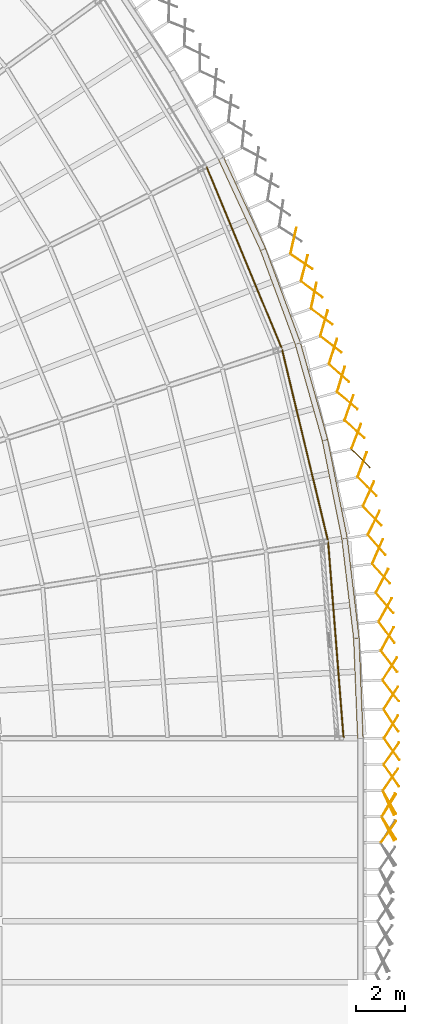
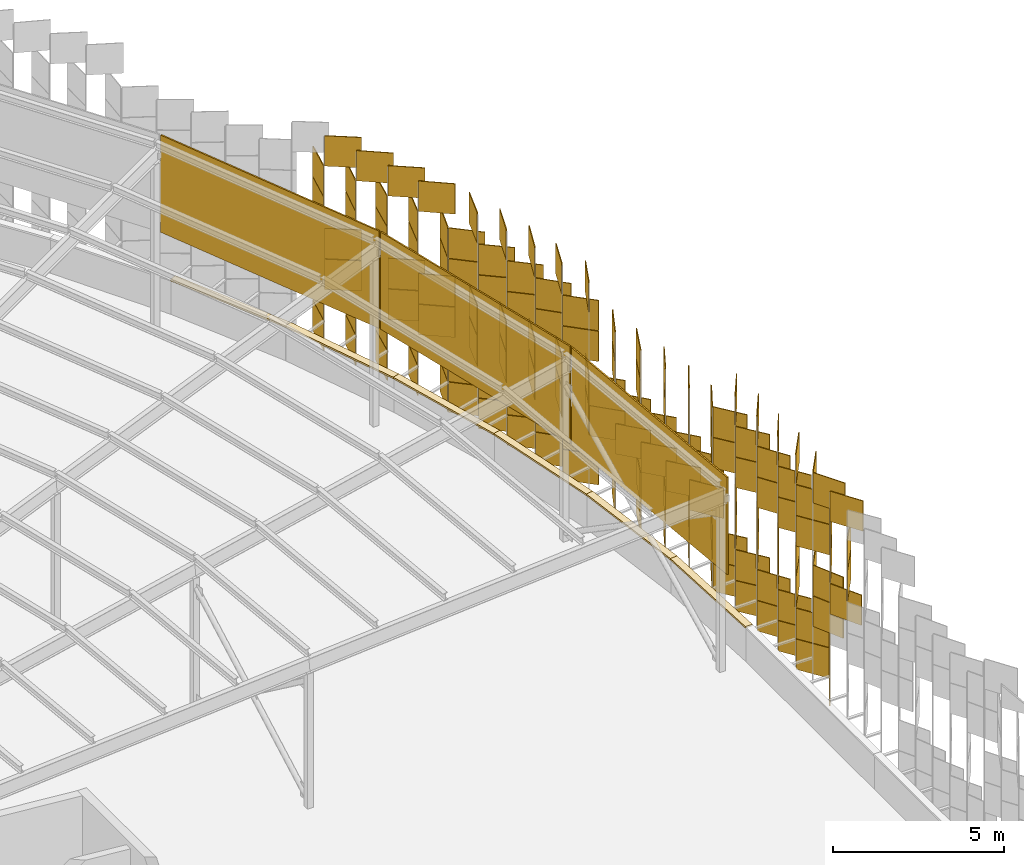
# One storey, part 474 of 483: 152 coverings.
"""IFC4 building model written with IfcOpenShell, lengths in metres."""

from ifc_helpers import new_model, si_unit, direction, frame, origin, origin_2d, place, context, subcontext, project, spatial, polyline, rectangle, outline, extrude, material, layer, layer_set, type_object, element, save


model = new_model("IFC4")

# Units and contexts
model_context = context("Model", 3, precision=1e-05, world=origin(), true_north=direction((0.0, 1.0)))
body_context = subcontext(model_context, "Body", "Model", "MODEL_VIEW")
ifc_project = project(units=[si_unit("LENGTHUNIT", "METRE"), si_unit("AREAUNIT", "SQUARE_METRE"), si_unit("VOLUMEUNIT", "CUBIC_METRE"), si_unit("PLANEANGLEUNIT", "RADIAN"), si_unit("MASSUNIT", "GRAM", prefix="KILO")], contexts=[model_context])

# Site, building, storey
site_placement = place(None, origin())
site = spatial("IfcSite", under=ifc_project, at=site_placement, CompositionType="ELEMENT")
building_placement = place(site_placement, origin())
building = spatial("IfcBuilding", under=site, at=building_placement, Name="Parallax Yard Mobility Hub", CompositionType="ELEMENT")
storey_placement = place(building_placement, frame((0.0, 0.0, 13.199951171875)))
storey = spatial("IfcBuildingStorey", under=building, at=storey_placement, Name="L04", CompositionType="ELEMENT", Elevation=13.199951171875)

# Coverings
ifc_material_1 = material(Name="Concrete fc' 35 MPa", Category="concrete")
ifc_layer_1 = layer(ifc_material_1, 0.06005859375)
ifc_layer_set_1 = layer_set([ifc_layer_1], Name="Parapet coping, Concrete fc' 35 MPa precast, 240")
covering_type_1 = type_object("IfcCoveringType", Name="Parapet coping, Concrete fc' 35 MPa precast, 240", PredefinedType="USERDEFINED", material=ifc_layer_set_1)
covering_1_placement = place(storey_placement, frame((0.0, 0.0, 1.199951171875)))
element("IfcCovering", 1, at=covering_1_placement, inside=storey, type_object=covering_type_1, Name="Parapet coping run 4 part 17", ObjectType="COPING", PredefinedType="USERDEFINED", context=body_context, shape_type="SweptSolid", body=[
    extrude(outline(polyline([(224.73388671875, 89.994873046875), (224.97412109375, 89.999755859375), (224.80810546875, 94.11669921875), (224.56884765625, 94.097900390625), (224.73388671875, 89.994873046875)])), origin(), (0.0, 0.0, 1.0), 0.06005859375),
])
covering_2_placement = place(storey_placement, frame((0.0, 0.0, 1.199951171875)))
element("IfcCovering", 2, at=covering_2_placement, inside=storey, type_object=covering_type_1, Name="Parapet coping run 4 part 18", ObjectType="COPING", PredefinedType="USERDEFINED", context=body_context, shape_type="SweptSolid", body=[
    extrude(outline(polyline([(224.56884765625, 94.097900390625), (224.80810546875, 94.11669921875), (224.32275390625, 98.207763671875), (224.08544921875, 98.170166015625), (224.56884765625, 94.097900390625)])), origin(), (0.0, 0.0, 1.0), 0.06005859375),
])
covering_3_placement = place(storey_placement, frame((0.0, 0.0, 1.199951171875)))
element("IfcCovering", 3, at=covering_3_placement, inside=storey, type_object=covering_type_1, Name="Parapet coping run 4 part 19", ObjectType="COPING", PredefinedType="USERDEFINED", context=body_context, shape_type="SweptSolid", body=[
    extrude(outline(polyline([(224.08544921875, 98.170166015625), (224.32275390625, 98.207763671875), (223.520263671875, 102.2490234375), (223.28662109375, 102.193115234375), (224.08544921875, 98.170166015625)])), origin(), (0.0, 0.0, 1.0), 0.06005859375),
])
covering_4_placement = place(storey_placement, frame((0.0, 0.0, 1.199951171875)))
element("IfcCovering", 4, at=covering_4_placement, inside=storey, type_object=covering_type_1, Name="Parapet coping run 4 part 20", ObjectType="COPING", PredefinedType="USERDEFINED", context=body_context, shape_type="SweptSolid", body=[
    extrude(outline(polyline([(223.28662109375, 102.193115234375), (223.520263671875, 102.2490234375), (222.405517578125, 106.2158203125), (222.177001953125, 106.1416015625), (223.28662109375, 102.193115234375)])), origin(), (0.0, 0.0, 1.0), 0.06005859375),
])
covering_5_placement = place(storey_placement, frame((0.0, 0.0, 1.199951171875)))
element("IfcCovering", 5, at=covering_5_placement, inside=storey, type_object=covering_type_1, Name="Parapet coping run 4 part 21", ObjectType="COPING", PredefinedType="USERDEFINED", context=body_context, shape_type="SweptSolid", body=[
    extrude(outline(polyline([(222.177001953125, 106.1416015625), (222.405517578125, 106.2158203125), (220.975830078125, 110.07958984375), (220.75390625, 109.987548828125), (222.177001953125, 106.1416015625)])), origin(), (0.0, 0.0, 1.0), 0.06005859375),
])
covering_6_placement = place(storey_placement, frame((0.0, 0.0, 1.199951171875)))
element("IfcCovering", 6, at=covering_6_placement, inside=storey, type_object=covering_type_1, Name="Parapet coping run 4 part 22", ObjectType="COPING", PredefinedType="USERDEFINED", context=body_context, shape_type="SweptSolid", body=[
    extrude(outline(polyline([(220.75390625, 109.987548828125), (220.975830078125, 110.07958984375), (219.25, 113.8203125), (219.035888671875, 113.711181640625), (220.75390625, 109.987548828125)])), origin(), (0.0, 0.0, 1.0), 0.06005859375),
])
ifc_material_2 = material(Name="Aluminium panel, silver anodised", Category="aluminium")
ifc_layer_2 = layer(ifc_material_2, 0.030029296875)
ifc_layer_set_2 = layer_set([ifc_layer_2], Name="Skin panel 25 degree turn, silver anodised")
covering_type_2 = type_object("IfcCoveringType", Name="Skin panel 25 degree turn, silver anodised", PredefinedType="CLADDING", material=ifc_layer_set_2)
for number, where, z_axis, x_axis, name in (
    (7, (226.0068359375, 87.354736328125, 2.219970703125), (0.0, 0.0, 1.0), (0.422618261741, -0.906307787037, 0.0), "Skin panel 25 bay 40.5 row 3 level L04"),
    (8, (226.0068359375, 87.354736328125, 3.320068359375), (0.0, 0.0, 1.0), (0.422618261741, -0.906307787037, 0.0), "Skin panel 25 bay 40.5 row 4 level L04"),
):
    element("IfcCovering", number, at=place(storey_placement, frame(where, z_axis=z_axis, x_axis=x_axis)), inside=storey, type_object=covering_type_2, Name=name, ObjectType="SCREEN", PredefinedType="CLADDING", context=body_context, shape_type="SweptSolid", body=[
        extrude(rectangle(XDim=1.080078125, YDim=0.030029296875, at=origin_2d()), origin(), (0.0, 0.0, 1.0), 1.080078125),
    ])
ifc_layer_3 = layer(ifc_material_2, 0.030029296875)
ifc_layer_set_3 = layer_set([ifc_layer_3], Name="Skin panel 27.5 degree turn, silver anodised")
covering_type_3 = type_object("IfcCoveringType", Name="Skin panel 27.5 degree turn, silver anodised", PredefinedType="CLADDING", material=ifc_layer_set_3)
covering_7_placement = place(storey_placement, frame((225.988525390625, 86.293701171875, 3.320068359375), z_axis=(0.0, 0.0, 1.0), x_axis=(0.461748613235, -0.887010833178, 0.0)))
element("IfcCovering", 9, at=covering_7_placement, inside=storey, type_object=covering_type_3, Name="Skin panel 27.5 bay 40.4 row 4 level L04", ObjectType="SCREEN", PredefinedType="CLADDING", context=body_context, shape_type="SweptSolid", body=[
    extrude(rectangle(XDim=1.080078125, YDim=0.030029296875, at=origin_2d()), origin(), (0.0, 0.0, 1.0), 1.080078125),
])
ifc_layer_4 = layer(ifc_material_2, 0.030029296875)
ifc_layer_set_4 = layer_set([ifc_layer_4], Name="Skin panel 30 degree turn, silver anodised")
covering_type_4 = type_object("IfcCoveringType", Name="Skin panel 30 degree turn, silver anodised", PredefinedType="CLADDING", material=ifc_layer_set_4)
for number, where, z_axis, x_axis, name in (
    (10, (226.009765625, 87.26904296875, 0.02001953125), (0.0, 0.0, 1.0), (0.5, 0.866025403784, 0.0), "Skin panel 30 bay 40.5 row 1 level L04"),
    (11, (226.009765625, 87.26904296875, 1.1201171875), (0.0, 0.0, 1.0), (0.5, 0.866025403784, 0.0), "Skin panel 30 bay 40.5 row 2 level L04"),
    (12, (226.0498046875, 87.377197265625, 6.6201171875), (0.0, 0.0, 1.0), (0.5, -0.866025403784, 0.0), "Skin panel 30 bay 40.5 row 7 level L04"),
):
    element("IfcCovering", number, at=place(storey_placement, frame(where, z_axis=z_axis, x_axis=x_axis)), inside=storey, type_object=covering_type_4, Name=name, ObjectType="SCREEN", PredefinedType="CLADDING", context=body_context, shape_type="SweptSolid", body=[
        extrude(rectangle(XDim=1.080078125, YDim=0.030029296875, at=origin_2d()), origin(), (0.0, 0.0, 1.0), 1.080078125),
    ])
ifc_layer_5 = layer(ifc_material_2, 0.030029296875)
ifc_layer_set_5 = layer_set([ifc_layer_5], Name="Skin panel 32.5 degree turn, silver anodised")
covering_type_5 = type_object("IfcCoveringType", Name="Skin panel 32.5 degree turn, silver anodised", PredefinedType="CLADDING", material=ifc_layer_set_5)
for number, where, z_axis, x_axis, name in (
    (13, (226.030517578125, 86.318115234375, 6.6201171875), (0.0, 0.0, 1.0), (0.537299608347, -0.843391445813, 0.0), "Skin panel 32.5 bay 40.4 row 7 level L04"),
    (14, (226.030517578125, 87.256591796875, 4.419921875), (0.0, 0.0, 1.0), (0.537299608347, 0.843391445813, 0.0), "Skin panel 32.5 bay 40.5 row 5 level L04"),
    (15, (226.030517578125, 87.256591796875, 5.52001953125), (0.0, 0.0, 1.0), (0.537299608347, 0.843391445813, 0.0), "Skin panel 32.5 bay 40.5 row 6 level L04"),
    (16, (226.1123046875, 90.729248046875, 0.02001953125), (0.0, 0.0, 1.0), (0.54928828444, -0.835632922148, 0.0), "Skin panel 32.5 bay 41.1 row 1 level L04"),
    (17, (226.1123046875, 90.729248046875, 1.1201171875), (0.0, 0.0, 1.0), (0.54928828444, -0.835632922148, 0.0), "Skin panel 32.5 bay 41.1 row 2 level L04"),
    (18, (226.115966796875, 90.4833984375, 2.219970703125), (0.0, 0.0, 1.0), (0.525201364482, 0.850977982527, 0.0), "Skin panel 32.5 bay 41.1 row 3 level L04"),
    (19, (226.115966796875, 90.4833984375, 3.320068359375), (0.0, 0.0, 1.0), (0.525201364482, 0.850977982527, 0.0), "Skin panel 32.5 bay 41.1 row 4 level L04"),
    (20, (226.1123046875, 90.729248046875, 4.419921875), (0.0, 0.0, 1.0), (0.54928828444, -0.835632922148, 0.0), "Skin panel 32.5 bay 41.1 row 5 level L04"),
    (21, (226.1123046875, 90.729248046875, 5.52001953125), (0.0, 0.0, 1.0), (0.54928828444, -0.835632922148, 0.0), "Skin panel 32.5 bay 41.1 row 6 level L04"),
    (22, (226.115966796875, 90.4833984375, 6.6201171875), (0.0, 0.0, 1.0), (0.525201364482, 0.850977982527, 0.0), "Skin panel 32.5 bay 41.1 row 7 level L04"),
    (23, (225.962646484375, 94.07958984375, 0.02001953125), (0.0, 0.0, 1.0), (0.475763913222, 0.879573020775, 0.0), "Skin panel 32.5 bay 41.4 row 1 level L04"),
    (24, (225.962646484375, 94.07958984375, 1.1201171875), (0.0, 0.0, 1.0), (0.475763913222, 0.879573020775, 0.0), "Skin panel 32.5 bay 41.4 row 2 level L04"),
    (25, (225.9375, 94.339111328125, 2.219970703125), (0.0, 0.0, 1.0), (0.596097359991, -0.802912160458, 0.0), "Skin panel 32.5 bay 41.4 row 3 level L04"),
    (26, (225.9375, 94.339111328125, 3.320068359375), (0.0, 0.0, 1.0), (0.596097359991, -0.802912160458, 0.0), "Skin panel 32.5 bay 41.4 row 4 level L04"),
    (27, (225.962646484375, 94.07958984375, 4.419921875), (0.0, 0.0, 1.0), (0.475763913222, 0.879573020775, 0.0), "Skin panel 32.5 bay 41.4 row 5 level L04"),
    (28, (225.962646484375, 94.07958984375, 5.52001953125), (0.0, 0.0, 1.0), (0.475763913222, 0.879573020775, 0.0), "Skin panel 32.5 bay 41.4 row 6 level L04"),
    (29, (225.55908203125, 97.66455078125, 0.02001953125), (0.0, 0.0, 1.0), (0.398749068925, 0.917060074385, 0.0), "Skin panel 32.5 bay 41.7 row 1 level L04"),
    (30, (225.55908203125, 97.66455078125, 1.1201171875), (0.0, 0.0, 1.0), (0.398749068925, 0.917060074385, 0.0), "Skin panel 32.5 bay 41.7 row 2 level L04"),
    (31, (225.53076171875, 97.924072265625, 2.219970703125), (0.0, 0.0, 1.0), (0.662620048216, -0.748955720789, 0.0), "Skin panel 32.5 bay 41.7 row 3 level L04"),
    (32, (225.53076171875, 97.924072265625, 3.320068359375), (0.0, 0.0, 1.0), (0.662620048216, -0.748955720789, 0.0), "Skin panel 32.5 bay 41.7 row 4 level L04"),
    (33, (225.55908203125, 97.66455078125, 4.419921875), (0.0, 0.0, 1.0), (0.398749068925, 0.917060074385, 0.0), "Skin panel 32.5 bay 41.7 row 5 level L04"),
    (34, (225.55908203125, 97.66455078125, 5.52001953125), (0.0, 0.0, 1.0), (0.398749068925, 0.917060074385, 0.0), "Skin panel 32.5 bay 41.7 row 6 level L04"),
    (35, (224.877197265625, 101.465087890625, 0.02001953125), (0.0, 0.0, 1.0), (0.704296037355, -0.709906396482, 0.0), "Skin panel 32.5 bay 42.3 row 1 level L04"),
    (36, (224.877197265625, 101.465087890625, 1.1201171875), (0.0, 0.0, 1.0), (0.704296037355, -0.709906396482, 0.0), "Skin panel 32.5 bay 42.3 row 2 level L04"),
    (37, (224.9296875, 101.224365234375, 2.219970703125), (0.0, 0.0, 1.0), (0.345745328141, 0.938328390314, 0.0), "Skin panel 32.5 bay 42.3 row 3 level L04"),
    (38, (224.9296875, 101.224365234375, 3.320068359375), (0.0, 0.0, 1.0), (0.345745328141, 0.938328390314, 0.0), "Skin panel 32.5 bay 42.3 row 4 level L04"),
    (39, (224.877197265625, 101.465087890625, 4.419921875), (0.0, 0.0, 1.0), (0.704296037355, -0.709906396482, 0.0), "Skin panel 32.5 bay 42.3 row 5 level L04"),
    (40, (224.877197265625, 101.465087890625, 5.52001953125), (0.0, 0.0, 1.0), (0.704296037355, -0.709906396482, 0.0), "Skin panel 32.5 bay 42.3 row 6 level L04"),
    (41, (224.9296875, 101.224365234375, 6.6201171875), (0.0, 0.0, 1.0), (0.345745328141, 0.938328390314, 0.0), "Skin panel 32.5 bay 42.3 row 7 level L04"),
    (42, (223.97998046875, 104.96728515625, 0.02001953125), (0.0, 0.0, 1.0), (0.743675964311, -0.668540245689, 0.0), "Skin panel 32.5 bay 42.6 row 1 level L04"),
    (43, (223.97998046875, 104.96728515625, 1.1201171875), (0.0, 0.0, 1.0), (0.743675964311, -0.668540245689, 0.0), "Skin panel 32.5 bay 42.6 row 2 level L04"),
    (44, (224.05908203125, 104.71826171875, 2.219970703125), (0.0, 0.0, 1.0), (0.29161218728, 0.956536634024, 0.0), "Skin panel 32.5 bay 42.6 row 3 level L04"),
    (45, (224.05908203125, 104.71826171875, 3.320068359375), (0.0, 0.0, 1.0), (0.29161218728, 0.956536634024, 0.0), "Skin panel 32.5 bay 42.6 row 4 level L04"),
    (46, (223.97998046875, 104.96728515625, 4.419921875), (0.0, 0.0, 1.0), (0.743675964311, -0.668540245689, 0.0), "Skin panel 32.5 bay 42.6 row 5 level L04"),
    (47, (223.97998046875, 104.96728515625, 5.52001953125), (0.0, 0.0, 1.0), (0.743675964311, -0.668540245689, 0.0), "Skin panel 32.5 bay 42.6 row 6 level L04"),
    (48, (224.05908203125, 104.71826171875, 6.6201171875), (0.0, 0.0, 1.0), (0.29161218728, 0.956536634024, 0.0), "Skin panel 32.5 bay 42.6 row 7 level L04"),
    (49, (222.9453125, 108.15087890625, 0.02001953125), (0.0, 0.0, 1.0), (0.208688396455, 0.977982184493, 0.0), "Skin panel 32.5 bay 43.2 row 1 level L04"),
    (50, (222.9453125, 108.15087890625, 1.1201171875), (0.0, 0.0, 1.0), (0.208688396455, 0.977982184493, 0.0), "Skin panel 32.5 bay 43.2 row 2 level L04"),
    (51, (222.863037109375, 108.39892578125, 2.219970703125), (0.0, 0.0, 1.0), (0.798157342033, -0.602449049595, 0.0), "Skin panel 32.5 bay 43.2 row 3 level L04"),
    (52, (222.863037109375, 108.39892578125, 3.320068359375), (0.0, 0.0, 1.0), (0.798157342033, -0.602449049595, 0.0), "Skin panel 32.5 bay 43.2 row 4 level L04"),
    (53, (222.9453125, 108.15087890625, 4.419921875), (0.0, 0.0, 1.0), (0.208688396455, 0.977982184493, 0.0), "Skin panel 32.5 bay 43.2 row 5 level L04"),
    (54, (222.9453125, 108.15087890625, 5.52001953125), (0.0, 0.0, 1.0), (0.208688396455, 0.977982184493, 0.0), "Skin panel 32.5 bay 43.2 row 6 level L04"),
    (55, (222.863037109375, 108.39892578125, 6.6201171875), (0.0, 0.0, 1.0), (0.798157342033, -0.602449049595, 0.0), "Skin panel 32.5 bay 43.2 row 7 level L04"),
):
    element("IfcCovering", number, at=place(storey_placement, frame(where, z_axis=z_axis, x_axis=x_axis)), inside=storey, type_object=covering_type_5, Name=name, ObjectType="SCREEN", PredefinedType="CLADDING", context=body_context, shape_type="SweptSolid", body=[
        extrude(rectangle(XDim=1.080078125, YDim=0.030029296875, at=origin_2d()), origin(), (0.0, 0.0, 1.0), 1.080078125),
    ])
ifc_layer_6 = layer(ifc_material_2, 0.030029296875)
ifc_layer_set_6 = layer_set([ifc_layer_6], Name="Skin panel 35 degree turn, silver anodised")
covering_type_6 = type_object("IfcCoveringType", Name="Skin panel 35 degree turn, silver anodised", PredefinedType="CLADDING", material=ifc_layer_set_6)
for number, where, z_axis, x_axis, name in (
    (56, (226.0107421875, 86.171142578125, 4.419921875), (0.0, 0.0, 1.0), (0.573576436351, 0.819152044289, 0.0), "Skin panel 35 bay 40.4 row 5 level L04"),
    (57, (226.0107421875, 86.171142578125, 5.52001953125), (0.0, 0.0, 1.0), (0.573576436351, 0.819152044289, 0.0), "Skin panel 35 bay 40.4 row 6 level L04"),
    (58, (226.130859375, 88.47509765625, 0.02001953125), (0.0, 0.0, 1.0), (0.573576436351, -0.819152044289, 0.0), "Skin panel 35 bay 40.6 row 1 level L04"),
    (59, (226.130859375, 88.47509765625, 1.1201171875), (0.0, 0.0, 1.0), (0.573576436351, -0.819152044289, 0.0), "Skin panel 35 bay 40.6 row 2 level L04"),
    (60, (226.0908203125, 88.314697265625, 2.219970703125), (0.0, 0.0, 1.0), (0.573576436351, 0.819152044289, 0.0), "Skin panel 35 bay 40.6 row 3 level L04"),
    (61, (226.0908203125, 88.314697265625, 3.320068359375), (0.0, 0.0, 1.0), (0.573576436351, 0.819152044289, 0.0), "Skin panel 35 bay 40.6 row 4 level L04"),
    (62, (226.130859375, 88.47509765625, 4.419921875), (0.0, 0.0, 1.0), (0.573576436351, -0.819152044289, 0.0), "Skin panel 35 bay 40.6 row 5 level L04"),
    (63, (226.130859375, 88.47509765625, 5.52001953125), (0.0, 0.0, 1.0), (0.573576436351, -0.819152044289, 0.0), "Skin panel 35 bay 40.6 row 6 level L04"),
    (64, (226.0908203125, 88.314697265625, 6.6201171875), (0.0, 0.0, 1.0), (0.573576436351, 0.819152044289, 0.0), "Skin panel 35 bay 40.6 row 7 level L04"),
    (65, (226.142822265625, 89.55419921875, 0.02001953125), (0.0, 0.0, 1.0), (0.573576436351, -0.819152044289, 0.0), "Skin panel 35 bay 40.7 row 1 level L04"),
    (66, (226.142822265625, 89.55419921875, 1.1201171875), (0.0, 0.0, 1.0), (0.573576436351, -0.819152044289, 0.0), "Skin panel 35 bay 40.7 row 2 level L04"),
    (67, (226.130859375, 89.386474609375, 2.219970703125), (0.0, 0.0, 1.0), (0.573576436351, 0.819152044289, 0.0), "Skin panel 35 bay 40.7 row 3 level L04"),
    (68, (226.130859375, 89.386474609375, 3.320068359375), (0.0, 0.0, 1.0), (0.573576436351, 0.819152044289, 0.0), "Skin panel 35 bay 40.7 row 4 level L04"),
    (69, (226.142822265625, 89.55419921875, 4.419921875), (0.0, 0.0, 1.0), (0.573576436351, -0.819152044289, 0.0), "Skin panel 35 bay 40.7 row 5 level L04"),
    (70, (226.142822265625, 89.55419921875, 5.52001953125), (0.0, 0.0, 1.0), (0.573576436351, -0.819152044289, 0.0), "Skin panel 35 bay 40.7 row 6 level L04"),
    (71, (226.130859375, 89.386474609375, 6.6201171875), (0.0, 0.0, 1.0), (0.573576436351, 0.819152044289, 0.0), "Skin panel 35 bay 40.7 row 7 level L04"),
    (72, (226.103271484375, 91.951171875, 0.02001953125), (0.0, 0.0, 1.0), (0.608131215552, -0.793836522636, 0.0), "Skin panel 35 bay 41.2 row 1 level L04"),
    (73, (226.103271484375, 91.951171875, 1.1201171875), (0.0, 0.0, 1.0), (0.608131215552, -0.793836522636, 0.0), "Skin panel 35 bay 41.2 row 2 level L04"),
    (74, (226.106201171875, 91.6630859375, 2.219970703125), (0.0, 0.0, 1.0), (0.537969196928, 0.842964496973, 0.0), "Skin panel 35 bay 41.2 row 3 level L04"),
    (75, (226.106201171875, 91.6630859375, 3.320068359375), (0.0, 0.0, 1.0), (0.537969196928, 0.842964496973, 0.0), "Skin panel 35 bay 41.2 row 4 level L04"),
    (76, (226.103271484375, 91.951171875, 4.419921875), (0.0, 0.0, 1.0), (0.608131215552, -0.793836522636, 0.0), "Skin panel 35 bay 41.2 row 5 level L04"),
    (77, (226.103271484375, 91.951171875, 5.52001953125), (0.0, 0.0, 1.0), (0.608131215552, -0.793836522636, 0.0), "Skin panel 35 bay 41.2 row 6 level L04"),
    (78, (226.106201171875, 91.6630859375, 6.6201171875), (0.0, 0.0, 1.0), (0.537969196928, 0.842964496973, 0.0), "Skin panel 35 bay 41.2 row 7 level L04"),
    (79, (226.0361328125, 93.1484375, 0.02001953125), (0.0, 0.0, 1.0), (0.608131215552, -0.793836522636, 0.0), "Skin panel 35 bay 41.3 row 1 level L04"),
    (80, (226.0361328125, 93.1484375, 1.1201171875), (0.0, 0.0, 1.0), (0.608131215552, -0.793836522636, 0.0), "Skin panel 35 bay 41.3 row 2 level L04"),
    (81, (226.064208984375, 92.86181640625, 2.219970703125), (0.0, 0.0, 1.0), (0.537969196928, 0.842964496973, 0.0), "Skin panel 35 bay 41.3 row 3 level L04"),
    (82, (226.064208984375, 92.86181640625, 3.320068359375), (0.0, 0.0, 1.0), (0.537969196928, 0.842964496973, 0.0), "Skin panel 35 bay 41.3 row 4 level L04"),
    (83, (226.0361328125, 93.1484375, 4.419921875), (0.0, 0.0, 1.0), (0.608131215552, -0.793836522636, 0.0), "Skin panel 35 bay 41.3 row 5 level L04"),
    (84, (226.0361328125, 93.1484375, 5.52001953125), (0.0, 0.0, 1.0), (0.608131215552, -0.793836522636, 0.0), "Skin panel 35 bay 41.3 row 6 level L04"),
    (85, (226.064208984375, 92.86181640625, 6.6201171875), (0.0, 0.0, 1.0), (0.537969196928, 0.842964496973, 0.0), "Skin panel 35 bay 41.3 row 7 level L04"),
    (86, (225.8779296875, 95.271240234375, 0.02001953125), (0.0, 0.0, 1.0), (0.488966877106, 0.872302351879, 0.0), "Skin panel 35 bay 41.5 row 1 level L04"),
    (87, (225.8779296875, 95.271240234375, 1.1201171875), (0.0, 0.0, 1.0), (0.488966877106, 0.872302351879, 0.0), "Skin panel 35 bay 41.5 row 2 level L04"),
    (88, (225.850830078125, 95.542724609375, 2.219970703125), (0.0, 0.0, 1.0), (0.652459561766, -0.757823541638, 0.0), "Skin panel 35 bay 41.5 row 3 level L04"),
    (89, (225.850830078125, 95.542724609375, 3.320068359375), (0.0, 0.0, 1.0), (0.652459561766, -0.757823541638, 0.0), "Skin panel 35 bay 41.5 row 4 level L04"),
    (90, (225.8779296875, 95.271240234375, 4.419921875), (0.0, 0.0, 1.0), (0.488966877106, 0.872302351879, 0.0), "Skin panel 35 bay 41.5 row 5 level L04"),
    (91, (225.8779296875, 95.271240234375, 5.52001953125), (0.0, 0.0, 1.0), (0.488966877106, 0.872302351879, 0.0), "Skin panel 35 bay 41.5 row 6 level L04"),
    (92, (225.745849609375, 96.457275390625, 0.02001953125), (0.0, 0.0, 1.0), (0.463858946586, 0.885909068512, 0.0), "Skin panel 35 bay 41.6 row 1 level L04"),
    (93, (225.745849609375, 96.457275390625, 1.1201171875), (0.0, 0.0, 1.0), (0.463858946586, 0.885909068512, 0.0), "Skin panel 35 bay 41.6 row 2 level L04"),
    (94, (225.712158203125, 96.7431640625, 2.219970703125), (0.0, 0.0, 1.0), (0.673833110974, -0.738883575779, 0.0), "Skin panel 35 bay 41.6 row 3 level L04"),
    (95, (225.712158203125, 96.7431640625, 3.320068359375), (0.0, 0.0, 1.0), (0.673833110974, -0.738883575779, 0.0), "Skin panel 35 bay 41.6 row 4 level L04"),
    (96, (225.745849609375, 96.457275390625, 4.419921875), (0.0, 0.0, 1.0), (0.463858946586, 0.885909068512, 0.0), "Skin panel 35 bay 41.6 row 5 level L04"),
    (97, (225.745849609375, 96.457275390625, 5.52001953125), (0.0, 0.0, 1.0), (0.463858946586, 0.885909068512, 0.0), "Skin panel 35 bay 41.6 row 6 level L04"),
    (98, (225.406005859375, 98.8408203125, 0.02001953125), (0.0, 0.0, 1.0), (0.438371146789, 0.898794046299, 0.0), "Skin panel 35 bay 42.1 row 1 level L04"),
    (99, (225.406005859375, 98.8408203125, 1.1201171875), (0.0, 0.0, 1.0), (0.438371146789, 0.898794046299, 0.0), "Skin panel 35 bay 42.1 row 2 level L04"),
    (100, (225.348388671875, 99.123291015625, 2.219970703125), (0.0, 0.0, 1.0), (0.694658370459, -0.719339800339, 0.0), "Skin panel 35 bay 42.1 row 3 level L04"),
    (101, (225.348388671875, 99.123291015625, 3.320068359375), (0.0, 0.0, 1.0), (0.694658370459, -0.719339800339, 0.0), "Skin panel 35 bay 42.1 row 4 level L04"),
    (102, (225.406005859375, 98.8408203125, 4.419921875), (0.0, 0.0, 1.0), (0.438371146789, 0.898794046299, 0.0), "Skin panel 35 bay 42.1 row 5 level L04"),
    (103, (225.406005859375, 98.8408203125, 5.52001953125), (0.0, 0.0, 1.0), (0.438371146789, 0.898794046299, 0.0), "Skin panel 35 bay 42.1 row 6 level L04"),
    (104, (225.135009765625, 100.313232421875, 0.02001953125), (0.0, 0.0, 1.0), (0.714917031434, -0.699209294965, 0.0), "Skin panel 35 bay 42.2 row 1 level L04"),
    (105, (225.135009765625, 100.313232421875, 1.1201171875), (0.0, 0.0, 1.0), (0.714917031434, -0.699209294965, 0.0), "Skin panel 35 bay 42.2 row 2 level L04"),
    (106, (225.19140625, 100.030517578125, 2.219970703125), (0.0, 0.0, 1.0), (0.412525789307, 0.910945922191, 0.0), "Skin panel 35 bay 42.2 row 3 level L04"),
    (107, (225.19140625, 100.030517578125, 3.320068359375), (0.0, 0.0, 1.0), (0.412525789307, 0.910945922191, 0.0), "Skin panel 35 bay 42.2 row 4 level L04"),
    (108, (225.135009765625, 100.313232421875, 4.419921875), (0.0, 0.0, 1.0), (0.714917031434, -0.699209294965, 0.0), "Skin panel 35 bay 42.2 row 5 level L04"),
    (109, (225.135009765625, 100.313232421875, 5.52001953125), (0.0, 0.0, 1.0), (0.714917031434, -0.699209294965, 0.0), "Skin panel 35 bay 42.2 row 6 level L04"),
    (110, (225.19140625, 100.030517578125, 6.6201171875), (0.0, 0.0, 1.0), (0.412525789307, 0.910945922191, 0.0), "Skin panel 35 bay 42.2 row 7 level L04"),
    (111, (224.62255859375, 102.660400390625, 0.02001953125), (0.0, 0.0, 1.0), (0.753667790395, -0.657255552826, 0.0), "Skin panel 35 bay 42.4 row 1 level L04"),
    (112, (224.62255859375, 102.660400390625, 1.1201171875), (0.0, 0.0, 1.0), (0.753667790395, -0.657255552826, 0.0), "Skin panel 35 bay 42.4 row 2 level L04"),
    (113, (224.685791015625, 102.379150390625, 2.219970703125), (0.0, 0.0, 1.0), (0.35984862727, 0.933010699538, 0.0), "Skin panel 35 bay 42.4 row 3 level L04"),
    (114, (224.685791015625, 102.379150390625, 3.320068359375), (0.0, 0.0, 1.0), (0.35984862727, 0.933010699538, 0.0), "Skin panel 35 bay 42.4 row 4 level L04"),
    (115, (224.62255859375, 102.660400390625, 4.419921875), (0.0, 0.0, 1.0), (0.753667790395, -0.657255552826, 0.0), "Skin panel 35 bay 42.4 row 5 level L04"),
    (116, (224.62255859375, 102.660400390625, 5.52001953125), (0.0, 0.0, 1.0), (0.753667790395, -0.657255552826, 0.0), "Skin panel 35 bay 42.4 row 6 level L04"),
    (117, (224.685791015625, 102.379150390625, 6.6201171875), (0.0, 0.0, 1.0), (0.35984862727, 0.933010699538, 0.0), "Skin panel 35 bay 42.4 row 7 level L04"),
    (118, (224.326416015625, 103.83251953125, 0.02001953125), (0.0, 0.0, 1.0), (0.772129465524, -0.63546525355, 0.0), "Skin panel 35 bay 42.5 row 1 level L04"),
    (119, (224.326416015625, 103.83251953125, 1.1201171875), (0.0, 0.0, 1.0), (0.772129465524, -0.63546525355, 0.0), "Skin panel 35 bay 42.5 row 2 level L04"),
    (120, (224.388427734375, 103.55078125, 2.219970703125), (0.0, 0.0, 1.0), (0.333058179063, 0.942906278142, 0.0), "Skin panel 35 bay 42.5 row 3 level L04"),
    (121, (224.388427734375, 103.55078125, 3.320068359375), (0.0, 0.0, 1.0), (0.333058179063, 0.942906278142, 0.0), "Skin panel 35 bay 42.5 row 4 level L04"),
    (122, (224.326416015625, 103.83251953125, 4.419921875), (0.0, 0.0, 1.0), (0.772129465524, -0.63546525355, 0.0), "Skin panel 35 bay 42.5 row 5 level L04"),
    (123, (224.326416015625, 103.83251953125, 5.52001953125), (0.0, 0.0, 1.0), (0.772129465524, -0.63546525355, 0.0), "Skin panel 35 bay 42.5 row 6 level L04"),
    (124, (224.388427734375, 103.55078125, 6.6201171875), (0.0, 0.0, 1.0), (0.333058179063, 0.942906278142, 0.0), "Skin panel 35 bay 42.5 row 7 level L04"),
    (125, (223.736328125, 105.868896484375, 0.02001953125), (0.0, 0.0, 1.0), (0.305997733365, 0.952032240618, 0.0), "Skin panel 35 bay 42.7 row 1 level L04"),
    (126, (223.736328125, 105.868896484375, 1.1201171875), (0.0, 0.0, 1.0), (0.305997733365, 0.952032240618, 0.0), "Skin panel 35 bay 42.7 row 2 level L04"),
    (127, (223.65087890625, 106.144287109375, 2.219970703125), (0.0, 0.0, 1.0), (0.789960282636, -0.613158015407, 0.0), "Skin panel 35 bay 42.7 row 3 level L04"),
    (128, (223.65087890625, 106.144287109375, 3.320068359375), (0.0, 0.0, 1.0), (0.789960282636, -0.613158015407, 0.0), "Skin panel 35 bay 42.7 row 4 level L04"),
    (129, (223.736328125, 105.868896484375, 4.419921875), (0.0, 0.0, 1.0), (0.305997733365, 0.952032240618, 0.0), "Skin panel 35 bay 42.7 row 5 level L04"),
    (130, (223.736328125, 105.868896484375, 5.52001953125), (0.0, 0.0, 1.0), (0.305997733365, 0.952032240618, 0.0), "Skin panel 35 bay 42.7 row 6 level L04"),
    (131, (223.65087890625, 106.144287109375, 6.6201171875), (0.0, 0.0, 1.0), (0.789960282636, -0.613158015407, 0.0), "Skin panel 35 bay 42.7 row 7 level L04"),
    (132, (223.366455078125, 107.019775390625, 0.02001953125), (0.0, 0.0, 1.0), (0.278686054753, 0.960382258732, 0.0), "Skin panel 35 bay 43.1 row 1 level L04"),
    (133, (223.366455078125, 107.019775390625, 1.1201171875), (0.0, 0.0, 1.0), (0.278686054753, 0.960382258732, 0.0), "Skin panel 35 bay 43.1 row 2 level L04"),
    (134, (223.2783203125, 107.278564453125, 2.219970703125), (0.0, 0.0, 1.0), (0.807147877274, -0.590349306946, 0.0), "Skin panel 35 bay 43.1 row 3 level L04"),
    (135, (223.2783203125, 107.278564453125, 3.320068359375), (0.0, 0.0, 1.0), (0.807147877274, -0.590349306946, 0.0), "Skin panel 35 bay 43.1 row 4 level L04"),
    (136, (223.366455078125, 107.019775390625, 4.419921875), (0.0, 0.0, 1.0), (0.278686054753, 0.960382258732, 0.0), "Skin panel 35 bay 43.1 row 5 level L04"),
    (137, (223.366455078125, 107.019775390625, 5.52001953125), (0.0, 0.0, 1.0), (0.278686054753, 0.960382258732, 0.0), "Skin panel 35 bay 43.1 row 6 level L04"),
    (138, (223.2783203125, 107.278564453125, 6.6201171875), (0.0, 0.0, 1.0), (0.807147877274, -0.590349306946, 0.0), "Skin panel 35 bay 43.1 row 7 level L04"),
    (139, (222.55859375, 109.272705078125, 0.02001953125), (0.0, 0.0, 1.0), (0.251148755085, 0.967948502152, 0.0), "Skin panel 35 bay 43.3 row 1 level L04"),
    (140, (222.55859375, 109.272705078125, 1.1201171875), (0.0, 0.0, 1.0), (0.251148755085, 0.967948502152, 0.0), "Skin panel 35 bay 43.3 row 2 level L04"),
    (141, (222.443359375, 109.537109375, 2.219970703125), (0.0, 0.0, 1.0), (0.823676131563, -0.567060517311, 0.0), "Skin panel 35 bay 43.3 row 3 level L04"),
    (142, (222.443359375, 109.537109375, 3.320068359375), (0.0, 0.0, 1.0), (0.823676131563, -0.567060517311, 0.0), "Skin panel 35 bay 43.3 row 4 level L04"),
    (143, (222.55859375, 109.272705078125, 4.419921875), (0.0, 0.0, 1.0), (0.251148755085, 0.967948502152, 0.0), "Skin panel 35 bay 43.3 row 5 level L04"),
    (144, (222.55859375, 109.272705078125, 5.52001953125), (0.0, 0.0, 1.0), (0.251148755085, 0.967948502152, 0.0), "Skin panel 35 bay 43.3 row 6 level L04"),
    (145, (222.443359375, 109.537109375, 6.6201171875), (0.0, 0.0, 1.0), (0.823676131563, -0.567060517311, 0.0), "Skin panel 35 bay 43.3 row 7 level L04"),
    (146, (222.109619140625, 110.394775390625, 0.02001953125), (0.0, 0.0, 1.0), (0.223404929604, 0.974725724206, 0.0), "Skin panel 35 bay 43.4 row 1 level L04"),
    (147, (222.109619140625, 110.394775390625, 1.1201171875), (0.0, 0.0, 1.0), (0.223404929604, 0.974725724206, 0.0), "Skin panel 35 bay 43.4 row 2 level L04"),
    (148, (222.109619140625, 110.394775390625, 4.419921875), (0.0, 0.0, 1.0), (0.223404929604, 0.974725724206, 0.0), "Skin panel 35 bay 43.4 row 5 level L04"),
    (149, (222.109619140625, 110.394775390625, 5.52001953125), (0.0, 0.0, 1.0), (0.223404929604, 0.974725724206, 0.0), "Skin panel 35 bay 43.4 row 6 level L04"),
):
    element("IfcCovering", number, at=place(storey_placement, frame(where, z_axis=z_axis, x_axis=x_axis)), inside=storey, type_object=covering_type_6, Name=name, ObjectType="SCREEN", PredefinedType="CLADDING", context=body_context, shape_type="SweptSolid", body=[
        extrude(rectangle(XDim=1.080078125, YDim=0.030029296875, at=origin_2d()), origin(), (0.0, 0.0, 1.0), 1.080078125),
    ])
ifc_material_3 = material(Name="Anodised aluminium louvre panel", Category="aluminium")
ifc_layer_7 = layer(ifc_material_3, 0.050048828125)
ifc_layer_set_7 = layer_set([ifc_layer_7], Name="Storm valance louvre panel 50")
covering_type_7 = type_object("IfcCoveringType", Name="Storm valance louvre panel 50", PredefinedType="CLADDING", material=ifc_layer_set_7)
covering_8_placement = place(storey_placement, frame((0.0, 0.0, 3.300048828125)))
element("IfcCovering", 150, at=covering_8_placement, inside=storey, type_object=covering_type_7, Name="Storm valance sector R7-R8", PredefinedType="CLADDING", context=body_context, shape_type="SweptSolid", body=[
    extrude(outline(polyline([(218.523193359375, 113.41650390625), (221.60107421875, 105.9853515625), (221.647216796875, 106.00439453125), (218.5693359375, 113.435546875), (218.523193359375, 113.41650390625)])), origin(), (0.0, 0.0, 1.0), 3.46630859375),
])
covering_9_placement = place(storey_placement, frame((0.0, 0.0, 3.300048828125)))
element("IfcCovering", 151, at=covering_9_placement, inside=storey, type_object=covering_type_7, Name="Storm valance sector R8-R9", PredefinedType="CLADDING", context=body_context, shape_type="SweptSolid", body=[
    extrude(outline(polyline([(221.61962890625, 105.928466796875), (223.497314453125, 98.107421875), (223.5458984375, 98.119140625), (221.668212890625, 105.940185546875), (221.61962890625, 105.928466796875)])), origin(), (0.0, 0.0, 1.0), 3.46630859375),
])
covering_10_placement = place(storey_placement, frame((0.0, 0.0, 3.300048828125)))
element("IfcCovering", 152, at=covering_10_placement, inside=storey, type_object=covering_type_7, Name="Storm valance sector R9-R10", PredefinedType="CLADDING", context=body_context, shape_type="SweptSolid", body=[
    extrude(outline(polyline([(223.506591796875, 98.04833984375), (224.1376953125, 90.02978515625), (224.1875, 90.03369140625), (223.556396484375, 98.05224609375), (223.506591796875, 98.04833984375)])), origin(), (0.0, 0.0, 1.0), 3.46630859375),
])

save(model, "model.ifc")
